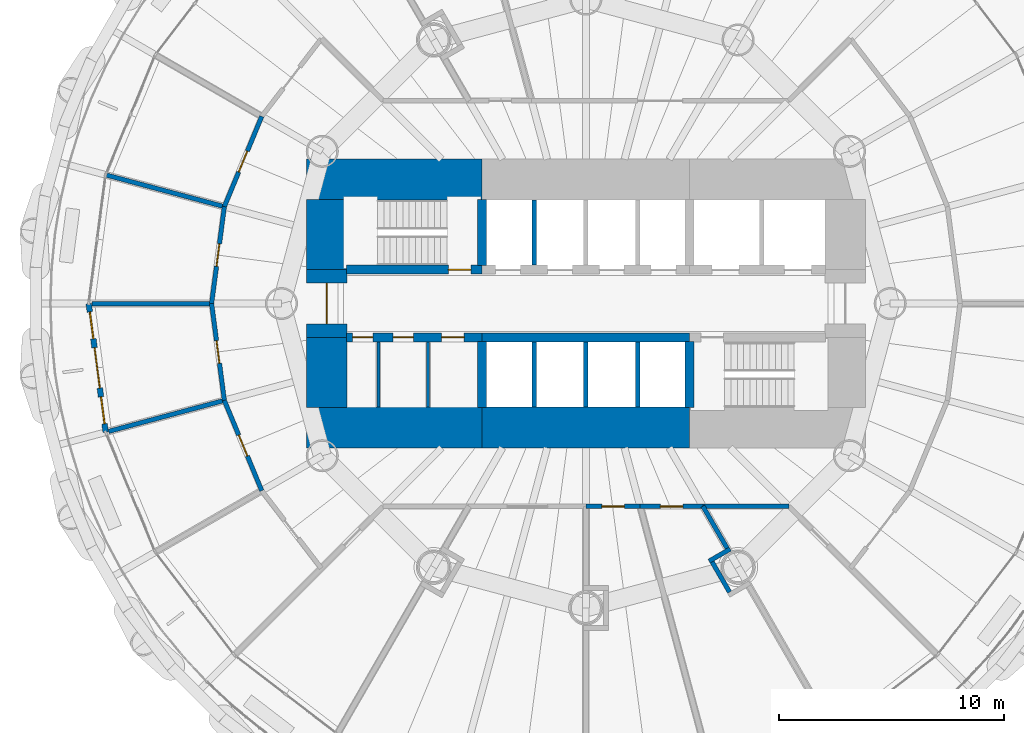
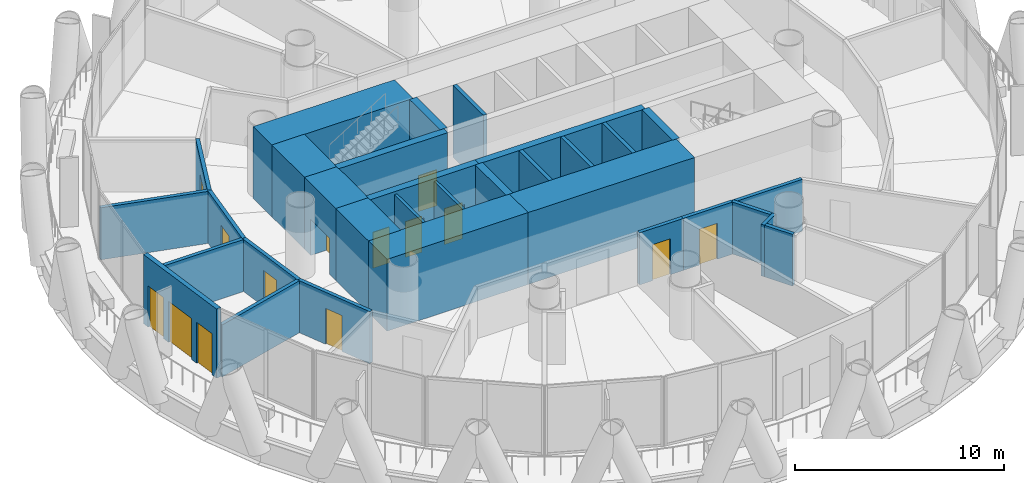
# One storey, part 10 of 16: 32 walls, 12 doors, 2 windows, 14 openings.
"""IFC4 building model written with IfcOpenShell, lengths in metres."""

from ifc_helpers import new_model, si_unit, direction, frame, frame_2d, origin, place, context, subcontext, project, spatial, rectangle, extrude, material, layer, layer_set, type_object, element, fill, save


model = new_model("IFC4")

# Units and contexts
model_context = context("Model", 3, precision=1e-05, world=origin(), true_north=direction((0.0, 1.0)))
body_context = subcontext(model_context, "Body", "Model", "MODEL_VIEW")
ifc_project = project(units=[si_unit("LENGTHUNIT", "METRE"), si_unit("AREAUNIT", "SQUARE_METRE"), si_unit("VOLUMEUNIT", "CUBIC_METRE"), si_unit("PLANEANGLEUNIT", "RADIAN"), si_unit("MASSUNIT", "GRAM", prefix="KILO")], contexts=[model_context])

# Site, building, storey
site_placement = place(None, origin())
site = spatial("IfcSite", under=ifc_project, at=site_placement, CompositionType="ELEMENT")
building_placement = place(site_placement, origin())
building = spatial("IfcBuilding", under=site, at=building_placement, Name="Qaws Media Tower", CompositionType="ELEMENT")
storey_placement = place(building_placement, frame((0.0, 0.0, 47.0)))
storey = spatial("IfcBuildingStorey", under=building, at=storey_placement, Name="L09", CompositionType="ELEMENT", Elevation=47.0)

# Wall, openings, door, windows
ifc_material_1 = material(Name="Precast concrete, exposed finish", Category="concrete")
ifc_layer_1 = layer(ifc_material_1, 0.25)
ifc_layer_set_1 = layer_set([ifc_layer_1], Name="Balcony door wall 250")
wall_type_1 = type_object("IfcWallType", Name="Balcony door wall 250", PredefinedType="SOLIDWALL", material=ifc_layer_set_1)
wall_1_placement = place(storey_placement, frame((37.949951171875, 50.0, 0.0), z_axis=(0.0, 0.0, 1.0), x_axis=(0.130546671118, -0.991442165061, 0.0)))
wall_1 = element("IfcWall", 1, at=wall_1_placement, inside=storey, type_object=wall_type_1, Name="W125 EW1 balcony door wall L09-13", PredefinedType="SOLIDWALL", context=body_context, shape_type="SweptSolid", body=[
    extrude(rectangle(XDim=5.75634765625, YDim=0.25, at=frame_2d((2.878173828125, 0.0))), origin(), (0.0, 0.0, 1.0), 4.0400390625),
])
opening_1_placement = place(wall_1_placement, frame((1.97802734375, 0.0, 0.0)))
opening_1 = element("IfcOpeningElement", 2, at=opening_1_placement, cuts=wall_1, Name="Opening D7", PredefinedType="OPENING", context=body_context, shape_type="SweptSolid", body=[
    extrude(rectangle(XDim=1.800048828125, YDim=2.39990234375, at=frame_2d((0.89990234375, 1.199951171875))), frame((0.0, 0.135009765625, 0.0), z_axis=(0.0, -1.0, 0.0), x_axis=(1.0, 0.0, 0.0)), (0.0, 0.0, 1.0), 0.27001953125),
])
opening_2_placement = place(wall_1_placement, frame((0.378173828125, 0.0, 0.0)))
opening_2 = element("IfcOpeningElement", 3, at=opening_2_placement, cuts=wall_1, Name="Opening W1", PredefinedType="OPENING", context=body_context, shape_type="SweptSolid", body=[
    extrude(rectangle(XDim=1.199951171875, YDim=2.39990234375, at=frame_2d((0.60009765625, 1.199951171875))), frame((0.0, 0.135009765625, 0.0), z_axis=(0.0, -1.0, 0.0), x_axis=(1.0, 0.0, 0.0)), (0.0, 0.0, 1.0), 0.27001953125),
])
opening_3_placement = place(wall_1_placement, frame((4.17822265625, 0.0, 0.0)))
opening_3 = element("IfcOpeningElement", 4, at=opening_3_placement, cuts=wall_1, Name="Opening W1", PredefinedType="OPENING", context=body_context, shape_type="SweptSolid", body=[
    extrude(rectangle(XDim=1.199951171875, YDim=2.39990234375, at=frame_2d((0.60009765625, 1.199951171875))), frame((0.0, 0.135009765625, 0.0), z_axis=(0.0, -1.0, 0.0), x_axis=(1.0, 0.0, 0.0)), (0.0, 0.0, 1.0), 0.27001953125),
])
ifc_material_2 = material(Name="Aluminium and clear glass", Category="aluminium")
door_type_1 = type_object("IfcDoorType", Name="Balcony door pair 1800", OperationType="DOUBLE_DOOR_SLIDING", PredefinedType="DOOR", material=ifc_material_2)
door_1_placement = place(opening_1_placement, origin())
door_1 = element("IfcDoor", 5, at=door_1_placement, inside=storey, type_object=door_type_1, Name="D7 balcony door L09-13 in wall W125", OperationType="DOUBLE_DOOR_SLIDING", OverallHeight=2.39990234375, OverallWidth=1.800048828125, PredefinedType="DOOR", context=body_context, shape_type="SweptSolid", body=[
    extrude(rectangle(XDim=1.800048828125, YDim=2.39990234375, at=frame_2d((0.89990234375, 1.199951171875))), frame((0.0, 0.02490234375, 0.0), z_axis=(0.0, -1.0, 0.0), x_axis=(1.0, 0.0, 0.0)), (0.0, 0.0, 1.0), 0.050048828125),
])
fill(opening_1, door_1)
ifc_material_3 = material(Name="Aluminium and clear glass", Category="aluminium")
window_type = type_object("IfcWindowType", Name="Balcony side window 1200", PartitioningType="SINGLE_PANEL", PredefinedType="WINDOW", material=ifc_material_3)
window_1_placement = place(opening_2_placement, origin())
window_1 = element("IfcWindow", 6, at=window_1_placement, inside=storey, type_object=window_type, Name="W1 balcony side light L09-13L", OverallHeight=2.39990234375, OverallWidth=1.199951171875, PartitioningType="SINGLE_PANEL", PredefinedType="WINDOW", context=body_context, shape_type="SweptSolid", body=[
    extrude(rectangle(XDim=1.199951171875, YDim=2.39990234375, at=frame_2d((0.60009765625, 1.199951171875))), frame((0.0, 0.030029296875, 0.0), z_axis=(0.0, -1.0, 0.0), x_axis=(1.0, 0.0, 0.0)), (0.0, 0.0, 1.0), 0.06005859375),
])
fill(opening_2, window_1)
window_2_placement = place(opening_3_placement, origin())
window_2 = element("IfcWindow", 7, at=window_2_placement, inside=storey, type_object=window_type, Name="W1 balcony side light L09-13R", OverallHeight=2.39990234375, OverallWidth=1.199951171875, PartitioningType="SINGLE_PANEL", PredefinedType="WINDOW", context=body_context, shape_type="SweptSolid", body=[
    extrude(rectangle(XDim=1.199951171875, YDim=2.39990234375, at=frame_2d((0.60009765625, 1.199951171875))), frame((0.0, 0.030029296875, 0.0), z_axis=(0.0, -1.0, 0.0), x_axis=(1.0, 0.0, 0.0)), (0.0, 0.0, 1.0), 0.06005859375),
])
fill(opening_3, window_2)

# Wall, opening, door
ifc_material_4 = material(Name="Concrete C60/75", Category="concrete")
ifc_layer_2 = layer(ifc_material_4, 0.39990234375)
ifc_layer_set_2 = layer_set([ifc_layer_2], Name="Core inner wall 400")
wall_type_2 = type_object("IfcWallType", Name="Core inner wall 400", PredefinedType="SHEAR", material=ifc_layer_set_2)
wall_2_placement = place(storey_placement, frame((49.3798828125, 51.5, 0.0), z_axis=(0.0, 0.0, 1.0), x_axis=(1.0, 0.0, 0.0)))
wall_2 = element("IfcWall", 8, at=wall_2_placement, inside=storey, type_object=wall_type_2, Name="W311 SW4 core wall SPNW L09", PredefinedType="SHEAR", context=body_context, shape_type="SweptSolid", body=[
    extrude(rectangle(XDim=6.02001953125, YDim=0.39990234375, at=frame_2d((3.010009765625, 0.0))), origin(), (0.0, 0.0, 1.0), 4.199951171875),
])
opening_4_placement = place(wall_2_placement, frame((4.52001953125, 0.0, 0.0)))
opening_4 = element("IfcOpeningElement", 9, at=opening_4_placement, cuts=wall_2, Name="Opening D1", PredefinedType="OPENING", context=body_context, shape_type="SweptSolid", body=[
    extrude(rectangle(XDim=1.0, YDim=2.10009765625, at=frame_2d((0.5, 1.050048828125))), frame((0.0, 0.2099609375, 0.0), z_axis=(0.0, -1.0, 0.0), x_axis=(1.0, 0.0, 0.0)), (0.0, 0.0, 1.0), 0.419921875),
])
ifc_material_5 = material(Name="Steel, fire rated", Category="steel")
door_type_2 = type_object("IfcDoorType", Name="Stair door 1000 FD120", OperationType="SINGLE_SWING_LEFT", PredefinedType="DOOR", material=ifc_material_5)
door_2_placement = place(opening_4_placement, origin())
door_2 = element("IfcDoor", 10, at=door_2_placement, inside=storey, type_object=door_type_2, Name="D1 stair S1 door L09 in wall W311", OperationType="SINGLE_SWING_LEFT", OverallHeight=2.10009765625, OverallWidth=1.0, PredefinedType="DOOR", context=body_context, shape_type="SweptSolid", body=[
    extrude(rectangle(XDim=1.0, YDim=2.10009765625, at=frame_2d((0.5, 1.050048828125))), frame((0.0, 0.02490234375, 0.0), z_axis=(0.0, -1.0, 0.0), x_axis=(1.0, 0.0, 0.0)), (0.0, 0.0, 1.0), 0.050048828125),
])
fill(opening_4, door_2)

# Wall, openings, doors
wall_3_placement = place(storey_placement, frame((49.3798828125, 48.5, 0.0), z_axis=(0.0, 0.0, 1.0), x_axis=(1.0, 0.0, 0.0)))
wall_3 = element("IfcWall", 11, at=wall_3_placement, inside=storey, type_object=wall_type_2, Name="W310 SW4 core wall SPSW L09", PredefinedType="SHEAR", context=body_context, shape_type="SweptSolid", body=[
    extrude(rectangle(XDim=6.02001953125, YDim=0.39990234375, at=frame_2d((3.010009765625, 0.0))), origin(), (0.0, 0.0, 1.0), 4.199951171875),
])
opening_5_placement = place(wall_3_placement, frame((0.27001953125, 0.0, 0.0)))
opening_5 = element("IfcOpeningElement", 12, at=opening_5_placement, cuts=wall_3, Name="Opening D25", PredefinedType="OPENING", context=body_context, shape_type="SweptSolid", body=[
    extrude(rectangle(XDim=0.89990234375, YDim=2.10009765625, at=frame_2d((0.449951171875, 1.050048828125))), frame((0.0, 0.2099609375, 0.0), z_axis=(0.0, -1.0, 0.0), x_axis=(1.0, 0.0, 0.0)), (0.0, 0.0, 1.0), 0.419921875),
])
opening_6_placement = place(wall_3_placement, frame((2.070068359375, 0.0, 0.0)))
opening_6 = element("IfcOpeningElement", 13, at=opening_6_placement, cuts=wall_3, Name="Opening D25", PredefinedType="OPENING", context=body_context, shape_type="SweptSolid", body=[
    extrude(rectangle(XDim=0.89990234375, YDim=2.10009765625, at=frame_2d((0.449951171875, 1.050048828125))), frame((0.0, 0.2099609375, 0.0), z_axis=(0.0, -1.0, 0.0), x_axis=(1.0, 0.0, 0.0)), (0.0, 0.0, 1.0), 0.419921875),
])
opening_7_placement = place(wall_3_placement, frame((4.219970703125, 0.0, 0.0)))
opening_7 = element("IfcOpeningElement", 14, at=opening_7_placement, cuts=wall_3, Name="Opening D4", PredefinedType="OPENING", context=body_context, shape_type="SweptSolid", body=[
    extrude(rectangle(XDim=1.0, YDim=2.10009765625, at=frame_2d((0.5, 1.050048828125))), frame((0.0, 0.2099609375, 0.0), z_axis=(0.0, -1.0, 0.0), x_axis=(1.0, 0.0, 0.0)), (0.0, 0.0, 1.0), 0.419921875),
])
ifc_material_6 = material(Name="Timber veneered", Category="wood")
door_type_3 = type_object("IfcDoorType", Name="Accessible WC door 1000", OperationType="SLIDING_TO_LEFT", PredefinedType="DOOR", material=ifc_material_6)
door_3_placement = place(opening_7_placement, origin())
door_3 = element("IfcDoor", 15, at=door_3_placement, inside=storey, type_object=door_type_3, Name="D4 toilet door 3 L09 in wall W310", OperationType="SLIDING_TO_LEFT", OverallHeight=2.10009765625, OverallWidth=1.0, PredefinedType="DOOR", context=body_context, shape_type="SweptSolid", body=[
    extrude(rectangle(XDim=1.0, YDim=2.10009765625, at=frame_2d((0.5, 1.050048828125))), frame((0.0, 0.02490234375, 0.0), z_axis=(0.0, -1.0, 0.0), x_axis=(1.0, 0.0, 0.0)), (0.0, 0.0, 1.0), 0.050048828125),
])
fill(opening_7, door_3)
ifc_material_7 = material(Name="Steel, fire rated", Category="steel")
door_type_4 = type_object("IfcDoorType", Name="Core service door 900", OperationType="SINGLE_SWING_RIGHT", PredefinedType="DOOR", material=ifc_material_7)
door_4_placement = place(opening_5_placement, origin())
door_4 = element("IfcDoor", 16, at=door_4_placement, inside=storey, type_object=door_type_4, Name="D25 toilet door 1 L09 in wall W310", OperationType="SINGLE_SWING_RIGHT", OverallHeight=2.10009765625, OverallWidth=0.89990234375, PredefinedType="DOOR", context=body_context, shape_type="SweptSolid", body=[
    extrude(rectangle(XDim=0.89990234375, YDim=2.10009765625, at=frame_2d((0.449951171875, 1.050048828125))), frame((0.0, 0.02490234375, 0.0), z_axis=(0.0, -1.0, 0.0), x_axis=(1.0, 0.0, 0.0)), (0.0, 0.0, 1.0), 0.050048828125),
])
fill(opening_5, door_4)
door_5_placement = place(opening_6_placement, origin())
door_5 = element("IfcDoor", 17, at=door_5_placement, inside=storey, type_object=door_type_4, Name="D25 toilet door 2 L09 in wall W310", OperationType="SINGLE_SWING_RIGHT", OverallHeight=2.10009765625, OverallWidth=0.89990234375, PredefinedType="DOOR", context=body_context, shape_type="SweptSolid", body=[
    extrude(rectangle(XDim=0.89990234375, YDim=2.10009765625, at=frame_2d((0.449951171875, 1.050048828125))), frame((0.0, 0.02490234375, 0.0), z_axis=(0.0, -1.0, 0.0), x_axis=(1.0, 0.0, 0.0)), (0.0, 0.0, 1.0), 0.050048828125),
])
fill(opening_6, door_5)

# Walls
wall_4_placement = place(storey_placement, frame((55.39990234375, 48.5, 0.0), z_axis=(0.0, 0.0, 1.0), x_axis=(1.0, 0.0, 0.0)))
element("IfcWall", 18, at=wall_4_placement, inside=storey, type_object=wall_type_2, Name="W313 SW4 core wall SPS L09", PredefinedType="SHEAR", context=body_context, shape_type="SweptSolid", body=[
    extrude(rectangle(XDim=9.2001953125, YDim=0.39990234375, at=frame_2d((4.60009765625, 0.0))), origin(), (0.0, 0.0, 1.0), 4.199951171875),
])
for number, where, z_axis, x_axis, name in (
    (19, (55.39990234375, 51.679931640625, 0.0), (0.0, 0.0, 1.0), (0.0, 1.0, 0.0), "W315 SW4 core wall XNW L09"),
    (20, (55.39990234375, 48.320068359375, 0.0), (0.0, 0.0, 1.0), (0.0, -1.0, 0.0), "W312 SW4 core wall XSW L09"),
    (21, (64.60009765625, 48.320068359375, 0.0), (0.0, 0.0, 1.0), (0.0, -1.0, 0.0), "W316 SW4 core wall XSE L09"),
):
    element("IfcWall", number, at=place(storey_placement, frame(where, z_axis=z_axis, x_axis=x_axis)), inside=storey, type_object=wall_type_2, Name=name, PredefinedType="SHEAR", context=body_context, shape_type="SweptSolid", body=[
        extrude(rectangle(XDim=2.940185546875, YDim=0.39990234375, at=frame_2d((1.47021484375, 0.0))), origin(), (0.0, 0.0, 1.0), 4.199951171875),
    ])
ifc_material_8 = material(Name="Concrete C60/75", Category="concrete")
ifc_layer_3 = layer(ifc_material_8, 1.800048828125)
ifc_layer_set_3 = layer_set([ifc_layer_3], Name="Core wall 1800")
wall_type_3 = type_object("IfcWallType", Name="Core wall 1800", PredefinedType="SHEAR", material=ifc_layer_set_3)
for number, where, z_axis, x_axis, name in (
    (22, (47.60009765625, 55.5, 0.0), (0.0, 0.0, 1.0), (1.0, 0.0, 0.0), "W399 SW11 core wall NW L09"),
    (23, (47.60009765625, 44.5, 0.0), (0.0, 0.0, 1.0), (1.0, 0.0, 0.0), "W398 SW11 core wall SW L09"),
):
    element("IfcWall", number, at=place(storey_placement, frame(where, z_axis=z_axis, x_axis=x_axis)), inside=storey, type_object=wall_type_3, Name=name, PredefinedType="SHEAR", context=body_context, shape_type="SweptSolid", body=[
        extrude(rectangle(XDim=7.7998046875, YDim=1.800048828125, at=frame_2d((3.89990234375, 0.0))), origin(), (0.0, 0.0, 1.0), 4.199951171875),
    ])
wall_5_placement = place(storey_placement, frame((55.39990234375, 44.5, 0.0), z_axis=(0.0, 0.0, 1.0), x_axis=(1.0, 0.0, 0.0)))
element("IfcWall", 24, at=wall_5_placement, inside=storey, type_object=wall_type_3, Name="W403 SW11 core wall S L09", PredefinedType="SHEAR", context=body_context, shape_type="SweptSolid", body=[
    extrude(rectangle(XDim=9.2001953125, YDim=1.800048828125, at=frame_2d((4.60009765625, 0.0))), origin(), (0.0, 0.0, 1.0), 4.199951171875),
])
wall_6_placement = place(storey_placement, frame((48.5, 45.3798828125, 0.0), z_axis=(0.0, 0.0, 1.0), x_axis=(0.0, 1.0, 0.0)))
element("IfcWall", 25, at=wall_6_placement, inside=storey, type_object=wall_type_3, Name="W400 SW11 core wall WS L09", PredefinedType="SHEAR", context=body_context, shape_type="SweptSolid", body=[
    extrude(rectangle(XDim=3.1201171875, YDim=1.800048828125, at=frame_2d((1.56005859375, 0.0))), origin(), (0.0, 0.0, 1.0), 4.199951171875),
])

# Wall, opening, door
wall_7_placement = place(storey_placement, frame((48.5, 48.5, 0.0), z_axis=(0.0, 0.0, 1.0), x_axis=(0.0, 1.0, 0.0)))
wall_7 = element("IfcWall", 26, at=wall_7_placement, inside=storey, type_object=wall_type_3, Name="W401 SW11 core wall W L09", PredefinedType="SHEAR", context=body_context, shape_type="SweptSolid", body=[
    extrude(rectangle(XDim=3.0, YDim=1.800048828125, at=frame_2d((1.5, 0.0))), origin(), (0.0, 0.0, 1.0), 4.199951171875),
])
opening_8_placement = place(wall_7_placement, frame((0.60009765625, 0.0, 0.0)))
opening_8 = element("IfcOpeningElement", 27, at=opening_8_placement, cuts=wall_7, Name="Opening D2", PredefinedType="OPENING", context=body_context, shape_type="SweptSolid", body=[
    extrude(rectangle(XDim=1.800048828125, YDim=2.10009765625, at=frame_2d((0.89990234375, 1.050048828125))), frame((0.0, 0.909912109375, 0.0), z_axis=(0.0, -1.0, 0.0), x_axis=(1.0, 0.0, 0.0)), (0.0, 0.0, 1.0), 1.820068359375),
])
ifc_material_9 = material(Name="Steel and glass, fire rated", Category="steel")
door_type_5 = type_object("IfcDoorType", Name="Lobby door pair 1800 FD60", OperationType="DOUBLE_DOOR_DOUBLE_SWING", PredefinedType="DOOR", material=ifc_material_9)
door_6_placement = place(opening_8_placement, origin())
door_6 = element("IfcDoor", 28, at=door_6_placement, inside=storey, type_object=door_type_5, Name="D2 core lobby door W L09 in wall W401", OperationType="DOUBLE_DOOR_DOUBLE_SWING", OverallHeight=2.10009765625, OverallWidth=1.800048828125, PredefinedType="DOOR", context=body_context, shape_type="SweptSolid", body=[
    extrude(rectangle(XDim=1.800048828125, YDim=2.10009765625, at=frame_2d((0.89990234375, 1.050048828125))), frame((0.0, 0.02490234375, 0.0), z_axis=(0.0, -1.0, 0.0), x_axis=(1.0, 0.0, 0.0)), (0.0, 0.0, 1.0), 0.050048828125),
])
fill(opening_8, door_6)

# Wall
wall_8_placement = place(storey_placement, frame((48.5, 51.5, 0.0), z_axis=(0.0, 0.0, 1.0), x_axis=(0.0, 1.0, 0.0)))
element("IfcWall", 29, at=wall_8_placement, inside=storey, type_object=wall_type_3, Name="W402 SW11 core wall WN L09", PredefinedType="SHEAR", context=body_context, shape_type="SweptSolid", body=[
    extrude(rectangle(XDim=3.1201171875, YDim=1.800048828125, at=frame_2d((1.56005859375, 0.0))), origin(), (0.0, 0.0, 1.0), 4.199951171875),
])

# Wall, opening, door
ifc_material_10 = material(Name="Gypsum board on galvanised metal studs, acoustic double stud, deflection head", Category="gypsum")
ifc_layer_4 = layer(ifc_material_10, 0.199951171875)
ifc_layer_set_4 = layer_set([ifc_layer_4], Name="Room partition 200")
wall_type_4 = type_object("IfcWallType", Name="Room partition 200", PredefinedType="PARTITIONING", material=ifc_layer_set_4)
wall_9_placement = place(storey_placement, frame((45.6240234375, 41.699951171875, 0.0), z_axis=(0.0, 0.0, 1.0), x_axis=(-0.382698425325, 0.923873322082, 0.0)))
wall_9 = element("IfcWall", 30, at=wall_9_placement, inside=storey, type_object=wall_type_4, Name="W991 IW3 partition L09", PredefinedType="PARTITIONING", context=body_context, shape_type="SweptSolid", body=[
    extrude(rectangle(XDim=4.33349609375, YDim=0.199951171875, at=frame_2d((2.166748046875, 0.0))), origin(), (0.0, 0.0, 1.0), 3.0400390625),
])
opening_9_placement = place(wall_9_placement, frame((1.666748046875, 0.0, 0.0)))
opening_9 = element("IfcOpeningElement", 31, at=opening_9_placement, cuts=wall_9, Name="Opening D5", PredefinedType="OPENING", context=body_context, shape_type="SweptSolid", body=[
    extrude(rectangle(XDim=1.0, YDim=2.10009765625, at=frame_2d((0.5, 1.050048828125))), frame((0.0, 0.10986328125, 0.0), z_axis=(0.0, -1.0, 0.0), x_axis=(1.0, 0.0, 0.0)), (0.0, 0.0, 1.0), 0.219970703125),
])
ifc_material_11 = material(Name="Timber veneered, acoustic seal", Category="wood")
door_type_6 = type_object("IfcDoorType", Name="Room door 1000", OperationType="SINGLE_SWING_LEFT", PredefinedType="DOOR", material=ifc_material_11)
door_7_placement = place(opening_9_placement, origin())
door_7 = element("IfcDoor", 32, at=door_7_placement, inside=storey, type_object=door_type_6, Name="D5 Edit room door L09 in wall W991", OperationType="SINGLE_SWING_LEFT", OverallHeight=2.10009765625, OverallWidth=1.0, PredefinedType="DOOR", context=body_context, shape_type="SweptSolid", body=[
    extrude(rectangle(XDim=1.0, YDim=2.10009765625, at=frame_2d((0.5, 1.050048828125))), frame((0.0, 0.02490234375, 0.0), z_axis=(0.0, -1.0, 0.0), x_axis=(1.0, 0.0, 0.0)), (0.0, 0.0, 1.0), 0.050048828125),
])
fill(opening_9, door_7)

wall_10_placement = place(storey_placement, frame((43.965576171875, 45.70361328125, 0.0), z_axis=(0.0, 0.0, 1.0), x_axis=(-0.130536124221, 0.99144355375, 0.0)))
wall_10 = element("IfcWall", 33, at=wall_10_placement, inside=storey, type_object=wall_type_4, Name="W987 IW3 partition L09", PredefinedType="PARTITIONING", context=body_context, shape_type="SweptSolid", body=[
    extrude(rectangle(XDim=4.33349609375, YDim=0.199951171875, at=frame_2d((2.166748046875, 0.0))), origin(), (0.0, 0.0, 1.0), 3.0400390625),
])
opening_10_placement = place(wall_10_placement, frame((1.666748046875, 0.0, 0.0)))
opening_10 = element("IfcOpeningElement", 34, at=opening_10_placement, cuts=wall_10, Name="Opening D5", PredefinedType="OPENING", context=body_context, shape_type="SweptSolid", body=[
    extrude(rectangle(XDim=1.0, YDim=2.10009765625, at=frame_2d((0.5, 1.050048828125))), frame((0.0, 0.10986328125, 0.0), z_axis=(0.0, -1.0, 0.0), x_axis=(1.0, 0.0, 0.0)), (0.0, 0.0, 1.0), 0.219970703125),
])
door_8_placement = place(opening_10_placement, origin())
door_8 = element("IfcDoor", 35, at=door_8_placement, inside=storey, type_object=door_type_6, Name="D5 Edit room door L09 in wall W987", OperationType="SINGLE_SWING_LEFT", OverallHeight=2.10009765625, OverallWidth=1.0, PredefinedType="DOOR", context=body_context, shape_type="SweptSolid", body=[
    extrude(rectangle(XDim=1.0, YDim=2.10009765625, at=frame_2d((0.5, 1.050048828125))), frame((0.0, 0.02490234375, 0.0), z_axis=(0.0, -1.0, 0.0), x_axis=(1.0, 0.0, 0.0)), (0.0, 0.0, 1.0), 0.050048828125),
])
fill(opening_10, door_8)

wall_11_placement = place(storey_placement, frame((43.39990234375, 50.0, 0.0), z_axis=(0.0, 0.0, 1.0), x_axis=(0.130536124221, 0.99144355375, 0.0)))
wall_11 = element("IfcWall", 36, at=wall_11_placement, inside=storey, type_object=wall_type_4, Name="W985 IW3 partition L09", PredefinedType="PARTITIONING", context=body_context, shape_type="SweptSolid", body=[
    extrude(rectangle(XDim=4.33349609375, YDim=0.199951171875, at=frame_2d((2.166748046875, 0.0))), origin(), (0.0, 0.0, 1.0), 3.0400390625),
])
opening_11_placement = place(wall_11_placement, frame((1.666748046875, 0.0, 0.0)))
opening_11 = element("IfcOpeningElement", 37, at=opening_11_placement, cuts=wall_11, Name="Opening D5", PredefinedType="OPENING", context=body_context, shape_type="SweptSolid", body=[
    extrude(rectangle(XDim=1.0, YDim=2.10009765625, at=frame_2d((0.5, 1.050048828125))), frame((0.0, 0.10986328125, 0.0), z_axis=(0.0, -1.0, 0.0), x_axis=(1.0, 0.0, 0.0)), (0.0, 0.0, 1.0), 0.219970703125),
])
door_9_placement = place(opening_11_placement, origin())
door_9 = element("IfcDoor", 38, at=door_9_placement, inside=storey, type_object=door_type_6, Name="D5 Edit room door L09 in wall W985", OperationType="SINGLE_SWING_LEFT", OverallHeight=2.10009765625, OverallWidth=1.0, PredefinedType="DOOR", context=body_context, shape_type="SweptSolid", body=[
    extrude(rectangle(XDim=1.0, YDim=2.10009765625, at=frame_2d((0.5, 1.050048828125))), frame((0.0, 0.02490234375, 0.0), z_axis=(0.0, -1.0, 0.0), x_axis=(1.0, 0.0, 0.0)), (0.0, 0.0, 1.0), 0.050048828125),
])
fill(opening_11, door_9)

wall_12_placement = place(storey_placement, frame((43.965576171875, 54.29638671875, 0.0), z_axis=(0.0, 0.0, 1.0), x_axis=(0.382698425325, 0.923873322082, 0.0)))
wall_12 = element("IfcWall", 39, at=wall_12_placement, inside=storey, type_object=wall_type_4, Name="W989 IW3 partition L09", PredefinedType="PARTITIONING", context=body_context, shape_type="SweptSolid", body=[
    extrude(rectangle(XDim=4.33349609375, YDim=0.199951171875, at=frame_2d((2.166748046875, 0.0))), origin(), (0.0, 0.0, 1.0), 3.0400390625),
])
opening_12_placement = place(wall_12_placement, frame((1.666748046875, 0.0, 0.0)))
opening_12 = element("IfcOpeningElement", 40, at=opening_12_placement, cuts=wall_12, Name="Opening D5", PredefinedType="OPENING", context=body_context, shape_type="SweptSolid", body=[
    extrude(rectangle(XDim=1.0, YDim=2.10009765625, at=frame_2d((0.5, 1.050048828125))), frame((0.0, 0.10986328125, 0.0), z_axis=(0.0, -1.0, 0.0), x_axis=(1.0, 0.0, 0.0)), (0.0, 0.0, 1.0), 0.219970703125),
])
door_10_placement = place(opening_12_placement, origin())
door_10 = element("IfcDoor", 41, at=door_10_placement, inside=storey, type_object=door_type_6, Name="D5 Edit room door L09 in wall W989", OperationType="SINGLE_SWING_LEFT", OverallHeight=2.10009765625, OverallWidth=1.0, PredefinedType="DOOR", context=body_context, shape_type="SweptSolid", body=[
    extrude(rectangle(XDim=1.0, YDim=2.10009765625, at=frame_2d((0.5, 1.050048828125))), frame((0.0, 0.02490234375, 0.0), z_axis=(0.0, -1.0, 0.0), x_axis=(1.0, 0.0, 0.0)), (0.0, 0.0, 1.0), 0.050048828125),
])
fill(opening_12, door_10)

# Wall
wall_13_placement = place(storey_placement, frame((69.0, 41.0, 0.0), z_axis=(0.0, 0.0, 1.0), x_axis=(-1.0, 0.0, 0.0)))
element("IfcWall", 42, at=wall_13_placement, inside=storey, type_object=wall_type_4, Name="W1009 IW3 partition L09", PredefinedType="PARTITIONING", context=body_context, shape_type="SweptSolid", body=[
    extrude(rectangle(XDim=3.8037109375, YDim=0.199951171875, at=frame_2d((1.90185546875, 0.0))), origin(), (0.0, 0.0, 1.0), 3.02001953125),
])

# Wall, opening, door
wall_14_placement = place(storey_placement, frame((65.1962890625, 41.0, 0.0), z_axis=(0.0, 0.0, 1.0), x_axis=(-1.0, 0.0, 0.0)))
wall_14 = element("IfcWall", 43, at=wall_14_placement, inside=storey, type_object=wall_type_4, Name="W1004 IW3 partition L09", PredefinedType="PARTITIONING", context=body_context, shape_type="SweptSolid", body=[
    extrude(rectangle(XDim=2.78466796875, YDim=0.199951171875, at=frame_2d((1.392333984375, 0.0))), origin(), (0.0, 0.0, 1.0), 3.0400390625),
])
opening_13_placement = place(wall_14_placement, frame((0.892333984375, 0.0, 0.0)))
opening_13 = element("IfcOpeningElement", 44, at=opening_13_placement, cuts=wall_14, Name="Opening D5", PredefinedType="OPENING", context=body_context, shape_type="SweptSolid", body=[
    extrude(rectangle(XDim=1.0, YDim=2.10009765625, at=frame_2d((0.5, 1.050048828125))), frame((0.0, 0.10986328125, 0.0), z_axis=(0.0, -1.0, 0.0), x_axis=(1.0, 0.0, 0.0)), (0.0, 0.0, 1.0), 0.219970703125),
])
door_11_placement = place(opening_13_placement, origin())
door_11 = element("IfcDoor", 45, at=door_11_placement, inside=storey, type_object=door_type_6, Name="D5 Gents toilets door L09 in wall W1004", OperationType="SINGLE_SWING_LEFT", OverallHeight=2.10009765625, OverallWidth=1.0, PredefinedType="DOOR", context=body_context, shape_type="SweptSolid", body=[
    extrude(rectangle(XDim=1.0, YDim=2.10009765625, at=frame_2d((0.5, 1.050048828125))), frame((0.0, 0.02490234375, 0.0), z_axis=(0.0, -1.0, 0.0), x_axis=(1.0, 0.0, 0.0)), (0.0, 0.0, 1.0), 0.050048828125),
])
fill(opening_13, door_11)

wall_15_placement = place(storey_placement, frame((62.41162109375, 41.0, 0.0), z_axis=(0.0, 0.0, 1.0), x_axis=(-1.0, 0.0, 0.0)))
wall_15 = element("IfcWall", 46, at=wall_15_placement, inside=storey, type_object=wall_type_4, Name="W1002 IW3 partition L09", PredefinedType="PARTITIONING", context=body_context, shape_type="SweptSolid", body=[
    extrude(rectangle(XDim=2.41162109375, YDim=0.199951171875, at=frame_2d((1.205810546875, 0.0))), origin(), (0.0, 0.0, 1.0), 3.0400390625),
])
opening_14_placement = place(wall_15_placement, frame((0.705810546875, 0.0, 0.0)))
opening_14 = element("IfcOpeningElement", 47, at=opening_14_placement, cuts=wall_15, Name="Opening D5", PredefinedType="OPENING", context=body_context, shape_type="SweptSolid", body=[
    extrude(rectangle(XDim=1.0, YDim=2.10009765625, at=frame_2d((0.5, 1.050048828125))), frame((0.0, 0.10986328125, 0.0), z_axis=(0.0, -1.0, 0.0), x_axis=(1.0, 0.0, 0.0)), (0.0, 0.0, 1.0), 0.219970703125),
])
door_12_placement = place(opening_14_placement, origin())
door_12 = element("IfcDoor", 48, at=door_12_placement, inside=storey, type_object=door_type_6, Name="D5 Machine room door L09 in wall W1002", OperationType="SINGLE_SWING_LEFT", OverallHeight=2.10009765625, OverallWidth=1.0, PredefinedType="DOOR", context=body_context, shape_type="SweptSolid", body=[
    extrude(rectangle(XDim=1.0, YDim=2.10009765625, at=frame_2d((0.5, 1.050048828125))), frame((0.0, 0.02490234375, 0.0), z_axis=(0.0, -1.0, 0.0), x_axis=(1.0, 0.0, 0.0)), (0.0, 0.0, 1.0), 0.050048828125),
])
fill(opening_14, door_12)

# Walls
wall_16_placement = place(storey_placement, frame((43.965576171875, 54.29638671875, 0.0), z_axis=(0.0, 0.0, 1.0), x_axis=(-0.965927907971, 0.258811276033, 0.0)))
element("IfcWall", 49, at=wall_16_placement, inside=storey, type_object=wall_type_4, Name="W1021 IW3 partition L09", PredefinedType="PARTITIONING", context=body_context, shape_type="SweptSolid", body=[
    extrude(rectangle(XDim=5.409912109375, YDim=0.199951171875, at=frame_2d((2.705078125, 0.0))), origin(), (0.0, 0.0, 1.0), 3.0400390625),
])
for number, where, z_axis, x_axis, name in (
    (50, (43.39990234375, 50.0, 0.0), (0.0, 0.0, 1.0), (-1.0, 0.0, 0.0), "W1019 IW3 partition L09"),
    (51, (43.965576171875, 45.70361328125, 0.0), (0.0, 0.0, 1.0), (-0.965926707179, -0.258815757555, 0.0), "W1020 IW3 partition L09"),
):
    element("IfcWall", number, at=place(storey_placement, frame(where, z_axis=z_axis, x_axis=x_axis)), inside=storey, type_object=wall_type_4, Name=name, PredefinedType="PARTITIONING", context=body_context, shape_type="SweptSolid", body=[
        extrude(rectangle(XDim=5.309814453125, YDim=0.199951171875, at=frame_2d((2.65478515625, 0.0))), origin(), (0.0, 0.0, 1.0), 3.0400390625),
    ])
wall_17_placement = place(storey_placement, frame((66.401123046875, 39.113037109375, 0.0), z_axis=(0.0, 0.0, 1.0), x_axis=(-0.86603892542, -0.499976579108, 0.0)))
element("IfcWall", 52, at=wall_17_placement, inside=storey, type_object=wall_type_4, Name="W1027 IW3 partition return L09", PredefinedType="PARTITIONING", context=body_context, shape_type="SweptSolid", body=[
    extrude(rectangle(XDim=1.0810546875, YDim=0.199951171875, at=frame_2d((0.54052734375, 0.0))), origin(), (0.0, 0.0, 1.0), 3.02001953125),
])
wall_18_placement = place(storey_placement, frame((65.6015625, 38.535888671875, 0.0), z_axis=(0.0, 0.0, 1.0), x_axis=(0.499987416453, -0.866032668777, 0.0)))
element("IfcWall", 53, at=wall_18_placement, inside=storey, type_object=wall_type_4, Name="W1026 IW3 partition return L09", PredefinedType="PARTITIONING", context=body_context, shape_type="SweptSolid", body=[
    extrude(rectangle(XDim=1.5419921875, YDim=0.199951171875, at=frame_2d((0.77099609375, 0.0))), origin(), (0.0, 0.0, 1.0), 3.02001953125),
])
wall_19_placement = place(storey_placement, frame((65.18994140625, 41.0107421875, 0.0), z_axis=(0.0, 0.0, 1.0), x_axis=(0.499987977232, -0.866032345022, 0.0)))
element("IfcWall", 54, at=wall_19_placement, inside=storey, type_object=wall_type_4, Name="W1025 IW3 partition L09", PredefinedType="PARTITIONING", context=body_context, shape_type="SweptSolid", body=[
    extrude(rectangle(XDim=2.14892578125, YDim=0.199951171875, at=frame_2d((1.074462890625, 0.0))), origin(), (0.0, 0.0, 1.0), 3.0400390625),
])
ifc_material_12 = material(Name="Fire-rated gypsum board shaft wall on galvanised metal studs, deflection head", Category="gypsum")
ifc_layer_5 = layer(ifc_material_12, 0.199951171875)
ifc_layer_set_5 = layer_set([ifc_layer_5], Name="Shaft wall 200")
wall_type_5 = type_object("IfcWallType", Name="Shaft wall 200", PredefinedType="PARTITIONING", material=ifc_layer_set_5)
for number, where, z_axis, x_axis, name in (
    (55, (57.699951171875, 51.699951171875, 0.0), (0.0, 0.0, 1.0), (0.0, 1.0, 0.0), "W1842 IW1 shaft wall N1 L09"),
    (56, (57.699951171875, 45.39990234375, 0.0), (0.0, 0.0, 1.0), (0.0, 1.0, 0.0), "W1835 IW1 shaft wall S1 L09"),
    (57, (60.0, 45.39990234375, 0.0), (0.0, 0.0, 1.0), (0.0, 1.0, 0.0), "W1837 IW1 shaft wall S2 L09"),
    (58, (62.300048828125, 45.39990234375, 0.0), (0.0, 0.0, 1.0), (0.0, 1.0, 0.0), "W1839 IW1 shaft wall S3 L09"),
):
    element("IfcWall", number, at=place(storey_placement, frame(where, z_axis=z_axis, x_axis=x_axis)), inside=storey, type_object=wall_type_5, Name=name, PredefinedType="PARTITIONING", context=body_context, shape_type="SweptSolid", body=[
        extrude(rectangle(XDim=2.900146484375, YDim=0.199951171875, at=frame_2d((1.4501953125, 0.0))), origin(), (0.0, 0.0, 1.0), 4.199951171875),
    ])
ifc_material_13 = material(Name="Gypsum board on galvanised metal studs, deflection head", Category="gypsum")
ifc_layer_6 = layer(ifc_material_13, 0.14990234375)
ifc_layer_set_6 = layer_set([ifc_layer_6], Name="WC partition 150")
wall_type_6 = type_object("IfcWallType", Name="WC partition 150", PredefinedType="PARTITIONING", material=ifc_layer_set_6)
for number, where, z_axis, x_axis, name in (
    (59, (50.800048828125, 45.39990234375, 0.0), (0.0, 0.0, 1.0), (0.0, 1.0, 0.0), "W1905 IW2 toilet partition 1 L09"),
    (60, (53.0, 45.39990234375, 0.0), (0.0, 0.0, 1.0), (0.0, 1.0, 0.0), "W1906 IW2 toilet partition 2 L09"),
):
    element("IfcWall", number, at=place(storey_placement, frame(where, z_axis=z_axis, x_axis=x_axis)), inside=storey, type_object=wall_type_6, Name=name, PredefinedType="PARTITIONING", context=body_context, shape_type="SweptSolid", body=[
        extrude(rectangle(XDim=2.900146484375, YDim=0.14990234375, at=frame_2d((1.4501953125, 0.0))), origin(), (0.0, 0.0, 1.0), 4.0400390625),
    ])

save(model, "model.ifc")
